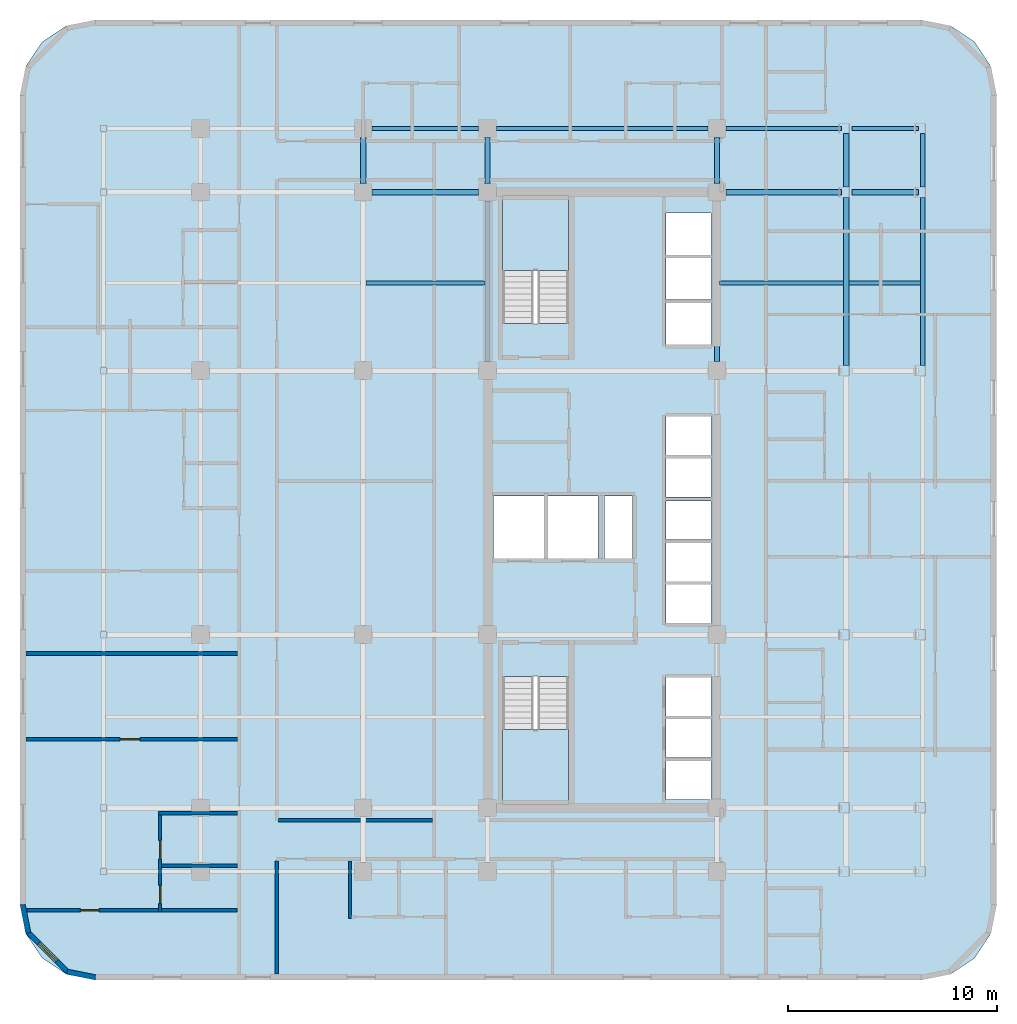
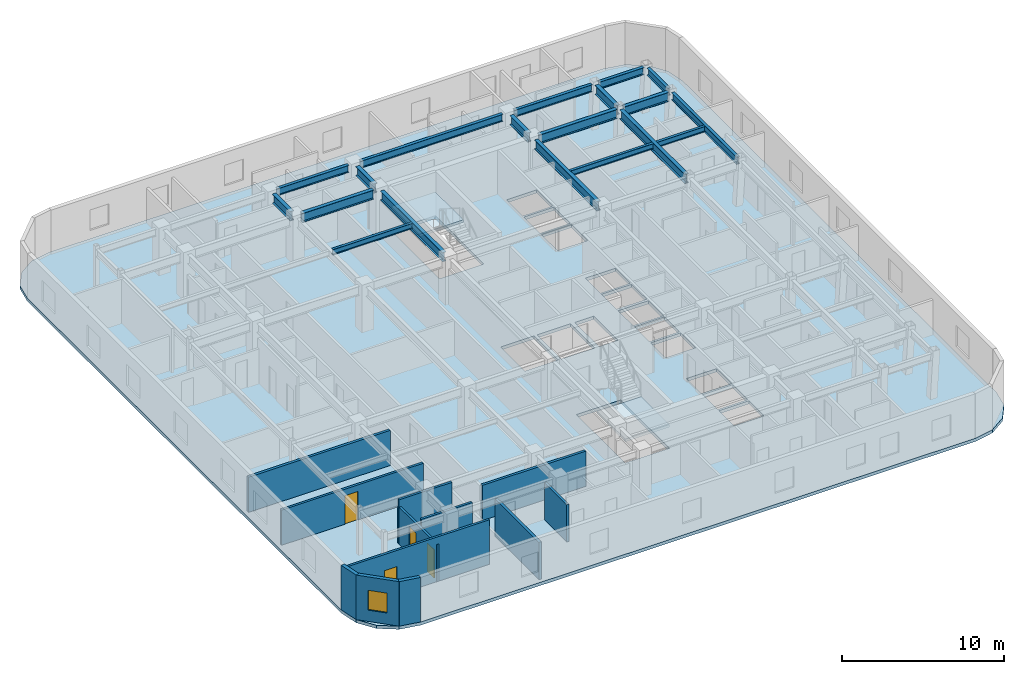
# One storey, part 5 of 12: 19 beams, 12 walls, 4 doors, 3 slabs, 1 window, 5 openings, 2 elements without a shape of their own.
"""IFC4 building model written with IfcOpenShell, lengths in metres."""

from ifc_helpers import new_model, si_unit, direction, frame, frame_2d, origin, origin_2d, place, context, subcontext, project, spatial, polyline, rectangle, i_section, outline, extrude, material, layer, layer_set, material_profile, profile_set, type_object, element, fill, aggregate, save


model = new_model("IFC4")

# Units and contexts
model_context = context("Model", 3, precision=1e-05, world=origin(), true_north=direction((0.0, 1.0)))
body_context = subcontext(model_context, "Body", "Model", "MODEL_VIEW")
ifc_project = project(units=[si_unit("LENGTHUNIT", "METRE"), si_unit("AREAUNIT", "SQUARE_METRE"), si_unit("VOLUMEUNIT", "CUBIC_METRE"), si_unit("PLANEANGLEUNIT", "RADIAN"), si_unit("MASSUNIT", "GRAM", prefix="KILO")], contexts=[model_context])

# Site, building, storey
site_placement = place(None, origin())
site = spatial("IfcSite", under=ifc_project, at=site_placement, CompositionType="ELEMENT")
building_placement = place(site_placement, origin())
building = spatial("IfcBuilding", under=site, at=building_placement, Name="Ochreholt Gables", CompositionType="ELEMENT")
storey_placement = place(building_placement, frame((0.0, 0.0, 38.39990234375)))
storey = spatial("IfcBuildingStorey", under=building, at=storey_placement, Name="L09", CompositionType="ELEMENT", Elevation=38.39990234375)

# Beams
ifc_material_1 = material(Name="Steel CSA G40.21 350W", Category="steel")
ifc_material_profile_1 = material_profile(ifc_material_1, i_section(OverallWidth=0.256103515625, OverallDepth=0.693115234375, WebThickness=0.014404296875, FlangeThickness=0.023681640625, at=origin_2d()), Name="W690X170")
ifc_profile_set_1 = profile_set([ifc_material_profile_1], Name="Steel CSA G40.21 350W")
beam_type_1 = type_object("IfcBeamType", Name="BM-G-W690", PredefinedType="BEAM", material=ifc_profile_set_1)
beam_1_placement = place(storey_placement, frame((18.674560546875, 38.75, 3.013671875), z_axis=(1.0, 0.0, 0.0), x_axis=(0.0, 1.0, 0.0)))
element("IfcBeam", 1, at=beam_1_placement, inside=storey, type_object=beam_type_1, Name="L09 Beam TBG-L09-W3C1-Y5", PredefinedType="BEAM", context=body_context, shape_type="SweptSolid", body=[
    extrude(i_section(OverallWidth=0.256103515625, OverallDepth=0.693115234375, WebThickness=0.014404296875, FlangeThickness=0.023681640625, at=origin_2d()), origin(), (0.0, 0.0, 1.0), 5.100830078125),
])
beam_2_placement = place(storey_placement, frame((35.62451171875, 38.75, 3.013671875), z_axis=(1.0, 0.0, 0.0), x_axis=(0.0, 1.0, 0.0)))
element("IfcBeam", 2, at=beam_2_placement, inside=storey, type_object=beam_type_1, Name="L09 Beam TBG-L09-C2EM-Y5", PredefinedType="BEAM", context=body_context, shape_type="SweptSolid", body=[
    extrude(i_section(OverallWidth=0.256103515625, OverallDepth=0.693115234375, WebThickness=0.014404296875, FlangeThickness=0.023681640625, at=origin_2d()), origin(), (0.0, 0.0, 1.0), 5.531982421875),
])
beam_3_placement = place(storey_placement, frame((41.655517578125, 38.75, 3.013671875), z_axis=(1.0, 0.0, 0.0), x_axis=(0.0, 1.0, 0.0)))
element("IfcBeam", 3, at=beam_3_placement, inside=storey, type_object=beam_type_1, Name="L09 Beam TBG-L09-EMEE-Y5", PredefinedType="BEAM", context=body_context, shape_type="SweptSolid", body=[
    extrude(i_section(OverallWidth=0.256103515625, OverallDepth=0.693115234375, WebThickness=0.014404296875, FlangeThickness=0.023681640625, at=origin_2d()), origin(), (0.0, 0.0, 1.0), 3.187744140625),
])
beam_4_placement = place(storey_placement, frame((18.25, 39.174560546875, 3.013671875), z_axis=(0.0, 1.0, 0.0), x_axis=(-1.0, 0.0, 0.0)))
element("IfcBeam", 4, at=beam_4_placement, inside=storey, type_object=beam_type_1, Name="L09 Beam TBN-L09-W3-Y5Y6", PredefinedType="BEAM", context=body_context, shape_type="SweptSolid", body=[
    extrude(i_section(OverallWidth=0.256103515625, OverallDepth=0.693115234375, WebThickness=0.014404296875, FlangeThickness=0.023681640625, at=origin_2d()), origin(), (0.0, 0.0, 1.0), 2.200927734375),
])
beam_5_placement = place(storey_placement, frame((24.199951171875, 30.62451171875, 3.013671875), z_axis=(0.0, 1.0, 0.0), x_axis=(-1.0, 0.0, 0.0)))
element("IfcBeam", 5, at=beam_5_placement, inside=storey, type_object=beam_type_1, Name="L09 Beam TBN-L09-C1-Y4Y5", PredefinedType="BEAM", context=body_context, shape_type="SweptSolid", body=[
    extrude(i_section(OverallWidth=0.256103515625, OverallDepth=0.693115234375, WebThickness=0.014404296875, FlangeThickness=0.023681640625, at=origin_2d()), origin(), (0.0, 0.0, 1.0), 7.700927734375),
])
beam_6_placement = place(storey_placement, frame((24.199951171875, 39.174560546875, 3.013671875), z_axis=(0.0, 1.0, 0.0), x_axis=(-1.0, 0.0, 0.0)))
element("IfcBeam", 6, at=beam_6_placement, inside=storey, type_object=beam_type_1, Name="L09 Beam TBN-L09-C1-Y5Y6", PredefinedType="BEAM", context=body_context, shape_type="SweptSolid", body=[
    extrude(i_section(OverallWidth=0.256103515625, OverallDepth=0.693115234375, WebThickness=0.014404296875, FlangeThickness=0.023681640625, at=origin_2d()), origin(), (0.0, 0.0, 1.0), 2.200927734375),
])
beam_7_placement = place(storey_placement, frame((35.199951171875, 30.62451171875, 3.013671875), z_axis=(0.0, 1.0, 0.0), x_axis=(-1.0, 0.0, 0.0)))
element("IfcBeam", 7, at=beam_7_placement, inside=storey, type_object=beam_type_1, Name="L09 Beam TBN-L09-C2-Y4Y5", PredefinedType="BEAM", context=body_context, shape_type="SweptSolid", body=[
    extrude(i_section(OverallWidth=0.256103515625, OverallDepth=0.693115234375, WebThickness=0.014404296875, FlangeThickness=0.023681640625, at=origin_2d()), origin(), (0.0, 0.0, 1.0), 7.700927734375),
])
beam_8_placement = place(storey_placement, frame((35.199951171875, 39.174560546875, 3.013671875), z_axis=(0.0, 1.0, 0.0), x_axis=(-1.0, 0.0, 0.0)))
element("IfcBeam", 8, at=beam_8_placement, inside=storey, type_object=beam_type_1, Name="L09 Beam TBN-L09-C2-Y5Y6", PredefinedType="BEAM", context=body_context, shape_type="SweptSolid", body=[
    extrude(i_section(OverallWidth=0.256103515625, OverallDepth=0.693115234375, WebThickness=0.014404296875, FlangeThickness=0.023681640625, at=origin_2d()), origin(), (0.0, 0.0, 1.0), 2.200927734375),
])
beam_9_placement = place(storey_placement, frame((41.388916015625, 30.44970703125, 3.013671875), z_axis=(0.0, 1.0, 0.0), x_axis=(-1.0, 0.0, 0.0)))
element("IfcBeam", 9, at=beam_9_placement, inside=storey, type_object=beam_type_1, Name="L09 Beam TBN-L09-EM-Y4Y5", PredefinedType="BEAM", context=body_context, shape_type="SweptSolid", body=[
    extrude(i_section(OverallWidth=0.256103515625, OverallDepth=0.693115234375, WebThickness=0.014404296875, FlangeThickness=0.023681640625, at=origin_2d()), origin(), (0.0, 0.0, 1.0), 8.05078125),
])
beam_10_placement = place(storey_placement, frame((41.388916015625, 38.99951171875, 3.013671875), z_axis=(0.0, 1.0, 0.0), x_axis=(-1.0, 0.0, 0.0)))
element("IfcBeam", 10, at=beam_10_placement, inside=storey, type_object=beam_type_1, Name="L09 Beam TBN-L09-EM-Y5Y6", PredefinedType="BEAM", context=body_context, shape_type="SweptSolid", body=[
    extrude(i_section(OverallWidth=0.256103515625, OverallDepth=0.693115234375, WebThickness=0.014404296875, FlangeThickness=0.023681640625, at=origin_2d()), origin(), (0.0, 0.0, 1.0), 2.55078125),
])
ifc_material_profile_2 = material_profile(ifc_material_1, i_section(OverallWidth=0.178955078125, OverallDepth=0.409912109375, WebThickness=0.0087890625, FlangeThickness=0.014404296875, at=origin_2d()), Name="W410X67")
ifc_profile_set_2 = profile_set([ifc_material_profile_2], Name="Steel CSA G40.21 350W")
beam_type_2 = type_object("IfcBeamType", Name="BM-J-W410", PredefinedType="JOIST", material=ifc_profile_set_2)
beam_11_placement = place(storey_placement, frame((18.377685546875, 34.39990234375, 3.155029296875), z_axis=(1.0, 0.0, 0.0), x_axis=(0.0, 1.0, 0.0)))
element("IfcBeam", 11, at=beam_11_placement, inside=storey, type_object=beam_type_2, Name="L09 Beam TBJ-L09-J2-W3C1", PredefinedType="JOIST", context=body_context, shape_type="SweptSolid", body=[
    extrude(i_section(OverallWidth=0.178955078125, OverallDepth=0.409912109375, WebThickness=0.0087890625, FlangeThickness=0.014404296875, at=origin_2d()), origin(), (0.0, 0.0, 1.0), 5.69482421875),
])
beam_12_placement = place(storey_placement, frame((35.32763671875, 34.39990234375, 3.155029296875), z_axis=(1.0, 0.0, 0.0), x_axis=(0.0, 1.0, 0.0)))
element("IfcBeam", 12, at=beam_12_placement, inside=storey, type_object=beam_type_2, Name="L09 Beam TBJ-L09-J2-C2EM", PredefinedType="JOIST", context=body_context, shape_type="SweptSolid", body=[
    extrude(i_section(OverallWidth=0.178955078125, OverallDepth=0.409912109375, WebThickness=0.0087890625, FlangeThickness=0.014404296875, at=origin_2d()), origin(), (0.0, 0.0, 1.0), 5.93359375),
])
beam_13_placement = place(storey_placement, frame((41.516357421875, 34.39990234375, 3.155029296875), z_axis=(1.0, 0.0, 0.0), x_axis=(0.0, 1.0, 0.0)))
element("IfcBeam", 13, at=beam_13_placement, inside=storey, type_object=beam_type_2, Name="L09 Beam TBJ-L09-J2-EMEE", PredefinedType="JOIST", context=body_context, shape_type="SweptSolid", body=[
    extrude(i_section(OverallWidth=0.178955078125, OverallDepth=0.409912109375, WebThickness=0.0087890625, FlangeThickness=0.014404296875, at=origin_2d()), origin(), (0.0, 0.0, 1.0), 3.44384765625),
])
ifc_material_profile_3 = material_profile(ifc_material_1, i_section(OverallWidth=0.208984375, OverallDepth=0.532958984375, WebThickness=0.01025390625, FlangeThickness=0.015625, at=origin_2d()), Name="W530X92")
ifc_profile_set_3 = profile_set([ifc_material_profile_3], Name="Steel CSA G40.21 350W")
beam_type_3 = type_object("IfcBeamType", Name="BM-SP-W530B", PredefinedType="SPANDREL", material=ifc_profile_set_3)
beam_14_placement = place(storey_placement, frame((18.674560546875, 41.800048828125, 3.093505859375), z_axis=(1.0, 0.0, 0.0), x_axis=(0.0, 1.0, 0.0)))
element("IfcBeam", 14, at=beam_14_placement, inside=storey, type_object=beam_type_3, Name="L09 Beam TBG-L09-W3C1-Y6", PredefinedType="SPANDREL", context=body_context, shape_type="SweptSolid", body=[
    extrude(i_section(OverallWidth=0.208984375, OverallDepth=0.532958984375, WebThickness=0.01025390625, FlangeThickness=0.015625, at=origin_2d()), origin(), (0.0, 0.0, 1.0), 5.100830078125),
])
beam_15_placement = place(storey_placement, frame((24.62451171875, 41.800048828125, 3.093505859375), z_axis=(1.0, 0.0, 0.0), x_axis=(0.0, 1.0, 0.0)))
element("IfcBeam", 15, at=beam_15_placement, inside=storey, type_object=beam_type_3, Name="L09 Beam TBG-L09-C1C2-Y6", PredefinedType="SPANDREL", context=body_context, shape_type="SweptSolid", body=[
    extrude(i_section(OverallWidth=0.208984375, OverallDepth=0.532958984375, WebThickness=0.01025390625, FlangeThickness=0.015625, at=origin_2d()), origin(), (0.0, 0.0, 1.0), 10.15087890625),
])
beam_16_placement = place(storey_placement, frame((35.62451171875, 41.800048828125, 3.093505859375), z_axis=(1.0, 0.0, 0.0), x_axis=(0.0, 1.0, 0.0)))
element("IfcBeam", 16, at=beam_16_placement, inside=storey, type_object=beam_type_3, Name="L09 Beam TBG-L09-C2EM-Y6", PredefinedType="SPANDREL", context=body_context, shape_type="SweptSolid", body=[
    extrude(i_section(OverallWidth=0.208984375, OverallDepth=0.532958984375, WebThickness=0.01025390625, FlangeThickness=0.015625, at=origin_2d()), origin(), (0.0, 0.0, 1.0), 5.531982421875),
])
beam_17_placement = place(storey_placement, frame((41.655517578125, 41.800048828125, 3.093505859375), z_axis=(1.0, 0.0, 0.0), x_axis=(0.0, 1.0, 0.0)))
element("IfcBeam", 17, at=beam_17_placement, inside=storey, type_object=beam_type_3, Name="L09 Beam TBG-L09-EMEE-Y6", PredefinedType="SPANDREL", context=body_context, shape_type="SweptSolid", body=[
    extrude(i_section(OverallWidth=0.208984375, OverallDepth=0.532958984375, WebThickness=0.01025390625, FlangeThickness=0.015625, at=origin_2d()), origin(), (0.0, 0.0, 1.0), 3.187744140625),
])
beam_18_placement = place(storey_placement, frame((45.064453125, 30.44970703125, 3.093505859375), z_axis=(0.0, 1.0, 0.0), x_axis=(-1.0, 0.0, 0.0)))
element("IfcBeam", 18, at=beam_18_placement, inside=storey, type_object=beam_type_3, Name="L09 Beam TBN-L09-EE-Y4Y5", PredefinedType="SPANDREL", context=body_context, shape_type="SweptSolid", body=[
    extrude(i_section(OverallWidth=0.208984375, OverallDepth=0.532958984375, WebThickness=0.01025390625, FlangeThickness=0.015625, at=origin_2d()), origin(), (0.0, 0.0, 1.0), 8.05078125),
])
beam_19_placement = place(storey_placement, frame((45.064453125, 38.99951171875, 3.093505859375), z_axis=(0.0, 1.0, 0.0), x_axis=(-1.0, 0.0, 0.0)))
element("IfcBeam", 19, at=beam_19_placement, inside=storey, type_object=beam_type_3, Name="L09 Beam TBN-L09-EE-Y5Y6", PredefinedType="SPANDREL", context=body_context, shape_type="SweptSolid", body=[
    extrude(i_section(OverallWidth=0.208984375, OverallDepth=0.532958984375, WebThickness=0.01025390625, FlangeThickness=0.015625, at=origin_2d()), origin(), (0.0, 0.0, 1.0), 2.55078125),
])

# Stair, slab
ifc_material_2 = material(Name="Concrete 40 MPa", Category="concrete")
stair_type_1 = type_object("IfcStairType", Name="STAIR-CORE-ST-1", PredefinedType="HALF_TURN_STAIR", material=ifc_material_2)
stair_1_placement = place(storey_placement, origin())
stair_1 = element("IfcStair", 20, at=stair_1_placement, inside=storey, type_object=stair_type_1, Name="L09 Core Exit Stair 1", PredefinedType="HALF_TURN_STAIR")
ifc_layer_1 = layer(ifc_material_2, 0.199951171875, Name="Concrete 40 MPa")
ifc_layer_set_1 = layer_set([ifc_layer_1], Name="Concrete 40 MPa")
slab_type_1 = type_object("IfcSlabType", Name="LANDING-RC200", PredefinedType="LANDING", material=ifc_layer_set_1)
slab_1_placement = place(storey_placement, frame((0.0, 0.0, 1.60009765625)))
slab_1 = element("IfcSlab", 21, at=slab_1_placement, type_object=slab_type_1, Name="ST-1 landing 1", PredefinedType="LANDING", context=body_context, shape_type="SweptSolid", body=[
    extrude(outline(polyline([(24.919921875, 13.001953125), (24.919921875, 9.52001953125), (28.080078125, 9.52001953125), (28.080078125, 13.001953125), (24.919921875, 13.001953125)])), origin(), (0.0, 0.0, 1.0), 0.199951171875),
])
aggregate(stair_1, [slab_1])

stair_type_2 = type_object("IfcStairType", Name="STAIR-CORE-ST-2", PredefinedType="HALF_TURN_STAIR", material=ifc_material_2)
stair_2_placement = place(storey_placement, origin())
stair_2 = element("IfcStair", 22, at=stair_2_placement, inside=storey, type_object=stair_type_2, Name="L09 Core Exit Stair 2", PredefinedType="HALF_TURN_STAIR")
slab_2_placement = place(storey_placement, frame((0.0, 0.0, 1.60009765625)))
slab_2 = element("IfcSlab", 23, at=slab_2_placement, type_object=slab_type_1, Name="ST-2 landing 1", PredefinedType="LANDING", context=body_context, shape_type="SweptSolid", body=[
    extrude(outline(polyline([(28.080078125, 34.998046875), (28.080078125, 38.47998046875), (24.919921875, 38.47998046875), (24.919921875, 34.998046875), (28.080078125, 34.998046875)])), origin(), (0.0, 0.0, 1.0), 0.199951171875),
])
aggregate(stair_2, [slab_2])

# Slab
ifc_layer_2 = layer(ifc_material_2, 0.239990234375, Name="Concrete 40 MPa")
ifc_layer_set_2 = layer_set([ifc_layer_2], Name="Concrete 40 MPa")
slab_type_2 = type_object("IfcSlabType", Name="SLAB-TWR-240", PredefinedType="FLOOR", material=ifc_layer_set_2)
slab_3_placement = place(storey_placement, frame((0.0, 0.0, -0.239990234375)))
element("IfcSlab", 24, at=slab_3_placement, inside=storey, type_object=slab_type_2, Name="L09 Structural Floor Slab", PredefinedType="FLOOR", context=body_context, shape_type="SweptSolid", body=[
    extrude(outline(polyline([(1.800048828125, 4.60009765625), (2.073974609375, 3.222412109375), (2.8544921875, 2.054443359375), (4.022216796875, 1.27392578125), (5.39990234375, 1.0), (45.0, 1.0), (46.377685546875, 1.27392578125), (47.545654296875, 2.054443359375), (48.325927734375, 3.222412109375), (48.60009765625, 4.60009765625), (48.60009765625, 43.39990234375), (48.325927734375, 44.777587890625), (47.545654296875, 45.945556640625), (46.377685546875, 46.72607421875), (45.0, 47.0), (5.39990234375, 47.0), (4.022216796875, 46.72607421875), (2.8544921875, 45.945556640625), (2.073974609375, 44.777587890625), (1.800048828125, 43.39990234375), (1.800048828125, 4.60009765625)]), holes=[polyline([(24.919921875, 15.539306640625), (24.919921875, 9.52001953125), (28.080078125, 9.52001953125), (28.080078125, 15.539306640625), (24.919921875, 15.539306640625)]), polyline([(28.080078125, 32.460693359375), (28.080078125, 38.47998046875), (24.919921875, 38.47998046875), (24.919921875, 32.460693359375), (28.080078125, 32.460693359375)]), polyline([(24.5, 21.199951171875), (26.89990234375, 21.199951171875), (26.89990234375, 24.199951171875), (24.5, 24.199951171875), (24.5, 21.199951171875)]), polyline([(27.10009765625, 21.199951171875), (29.5, 21.199951171875), (29.5, 24.199951171875), (27.10009765625, 24.199951171875), (27.10009765625, 21.199951171875)]), polyline([(32.75, 9.64990234375), (34.89990234375, 9.64990234375), (34.89990234375, 11.5), (32.75, 11.5), (32.75, 9.64990234375)]), polyline([(32.75, 11.64990234375), (34.89990234375, 11.64990234375), (34.89990234375, 13.5), (32.75, 13.5), (32.75, 11.64990234375)]), polyline([(32.75, 13.64990234375), (34.89990234375, 13.64990234375), (34.89990234375, 15.5), (32.75, 15.5), (32.75, 13.64990234375)]), polyline([(32.75, 18.10009765625), (34.89990234375, 18.10009765625), (34.89990234375, 19.949951171875), (32.75, 19.949951171875), (32.75, 18.10009765625)]), polyline([(32.75, 20.10009765625), (34.89990234375, 20.10009765625), (34.89990234375, 21.949951171875), (32.75, 21.949951171875), (32.75, 20.10009765625)]), polyline([(32.75, 22.10009765625), (34.89990234375, 22.10009765625), (34.89990234375, 23.949951171875), (32.75, 23.949951171875), (32.75, 22.10009765625)]), polyline([(32.75, 24.14990234375), (34.89990234375, 24.14990234375), (34.89990234375, 26.0), (32.75, 26.0), (32.75, 24.14990234375)]), polyline([(32.75, 26.14990234375), (34.89990234375, 26.14990234375), (34.89990234375, 28.0), (32.75, 28.0), (32.75, 26.14990234375)]), polyline([(32.75, 31.449951171875), (34.89990234375, 31.449951171875), (34.89990234375, 33.449951171875), (32.75, 33.449951171875), (32.75, 31.449951171875)]), polyline([(32.75, 33.60009765625), (34.89990234375, 33.60009765625), (34.89990234375, 35.60009765625), (32.75, 35.60009765625), (32.75, 33.60009765625)]), polyline([(32.75, 35.75), (34.89990234375, 35.75), (34.89990234375, 37.75), (32.75, 37.75), (32.75, 35.75)]), polyline([(29.800048828125, 21.199951171875), (31.14990234375, 21.199951171875), (31.14990234375, 24.199951171875), (29.800048828125, 24.199951171875), (29.800048828125, 21.199951171875)])]), origin(), (0.0, 0.0, 1.0), 0.239990234375),
])

# Wall
ifc_material_3 = material(Name="Precast concrete 40 MPa", Category="concrete")
ifc_layer_3 = layer(ifc_material_3, 0.25, Name="Precast concrete 40 MPa")
ifc_layer_set_3 = layer_set([ifc_layer_3], Name="Precast concrete 40 MPa")
wall_type_1 = type_object("IfcWallType", Name="WALL-EXT-CNR", PredefinedType="SOLIDWALL", material=ifc_layer_set_3)
wall_1_placement = place(storey_placement, frame((1.92431640625, 4.616455078125, 0.0), z_axis=(0.0, 0.0, 1.0), x_axis=(0.19496651342, -0.980809899341, 0.0)))
element("IfcWall", 25, at=wall_1_placement, inside=storey, type_object=wall_type_1, Name="L09 Rounded Corner Wall SW-1", PredefinedType="SOLIDWALL", context=body_context, shape_type="SweptSolid", body=[
    extrude(rectangle(XDim=1.388671875, YDim=0.25, at=frame_2d((0.6943359375, 0.0))), origin(), (0.0, 0.0, 1.0), 3.360107421875),
])

# Wall, opening, window
wall_2_placement = place(storey_placement, frame((2.16796875, 3.304931640625, 0.0), z_axis=(0.0, 0.0, 1.0), x_axis=(0.707106781187, -0.707106781187, 0.0)))
wall_2 = element("IfcWall", 26, at=wall_2_placement, inside=storey, type_object=wall_type_1, Name="L09 Rounded Corner Wall SW-2", PredefinedType="SOLIDWALL", context=body_context, shape_type="SweptSolid", body=[
    extrude(rectangle(XDim=2.7392578125, YDim=0.25, at=frame_2d((1.36962890625, 0.0))), origin(), (0.0, 0.0, 1.0), 3.360107421875),
])
opening_1_placement = place(wall_2_placement, frame((0.769775390625, 0.0, 0.85009765625)))
opening_1 = element("IfcOpeningElement", 27, at=opening_1_placement, cuts=wall_2, Name="Opening WN-3", PredefinedType="OPENING", context=body_context, shape_type="SweptSolid", body=[
    extrude(rectangle(XDim=1.199951171875, YDim=1.5, at=frame_2d((0.60009765625, 0.75))), frame((0.0, 0.135009765625, 0.0), z_axis=(0.0, -1.0, 0.0), x_axis=(1.0, 0.0, 0.0)), (0.0, 0.0, 1.0), 0.27001953125),
])
ifc_material_4 = material(Name="Triple-Glazed Thermally Broken Aluminium Window", Category="aluminium")
window_type = type_object("IfcWindowType", Name="WIN-RES-1200", PartitioningType="SINGLE_PANEL", PredefinedType="WINDOW", material=ifc_material_4)
window_placement = place(opening_1_placement, origin())
window = element("IfcWindow", 28, at=window_placement, inside=storey, type_object=window_type, Name="L09 Corner Bedroom Window SW", OverallHeight=1.5, OverallWidth=1.199951171875, PartitioningType="SINGLE_PANEL", PredefinedType="WINDOW", context=body_context, shape_type="SweptSolid", body=[
    extrude(rectangle(XDim=1.199951171875, YDim=1.5, at=frame_2d((0.60009765625, 0.75))), frame((0.0, 0.030029296875, 0.0), z_axis=(0.0, -1.0, 0.0), x_axis=(1.0, 0.0, 0.0)), (0.0, 0.0, 1.0), 0.06005859375),
])
fill(opening_1, window)

# Walls
wall_3_placement = place(storey_placement, frame((4.054443359375, 1.39501953125, 0.0), z_axis=(0.0, 0.0, 1.0), x_axis=(0.980809899341, -0.19496651342, 0.0)))
element("IfcWall", 29, at=wall_3_placement, inside=storey, type_object=wall_type_1, Name="L09 Rounded Corner Wall SW-3", PredefinedType="SOLIDWALL", context=body_context, shape_type="SweptSolid", body=[
    extrude(rectangle(XDim=1.388671875, YDim=0.25, at=frame_2d((0.6943359375, 0.0))), origin(), (0.0, 0.0, 1.0), 3.360107421875),
])
ifc_material_5 = material(Name="Fire-Rated Gypsum Acoustic Partition", Category="gypsum")
ifc_layer_4 = layer(ifc_material_5, 0.179931640625, Name="Fire-Rated Gypsum Acoustic Partition")
ifc_layer_set_4 = layer_set([ifc_layer_4], Name="Fire-Rated Gypsum Acoustic Partition")
wall_type_2 = type_object("IfcWallType", Name="WALL-INT-CR180", PredefinedType="STANDARD", material=ifc_layer_set_4)
wall_4_placement = place(storey_placement, frame((14.18994140625, 8.64990234375, 0.0), z_axis=(0.0, 0.0, 1.0), x_axis=(1.0, 0.0, 0.0)))
element("IfcWall", 30, at=wall_4_placement, inside=storey, type_object=wall_type_2, Name="L09 Interior Wall WI-C1S2W-L09", PredefinedType="STANDARD", context=body_context, shape_type="SweptSolid", body=[
    extrude(rectangle(XDim=7.3701171875, YDim=0.179931640625, at=frame_2d((3.68505859375, 0.0))), origin(), (0.0, 0.0, 1.0), 2.649169921875),
])
ifc_material_6 = material(Name="Double-Stud Acoustic Demising Wall", Category="gypsum")
ifc_layer_5 = layer(ifc_material_6, 0.179931640625, Name="Double-Stud Acoustic Demising Wall")
ifc_layer_set_5 = layer_set([ifc_layer_5], Name="Double-Stud Acoustic Demising Wall")
wall_type_3 = type_object("IfcWallType", Name="WALL-INT-DM180", PredefinedType="PARTITIONING", material=ifc_layer_set_5)
wall_5_placement = place(storey_placement, frame((14.10009765625, 1.2900390625, 0.0), z_axis=(0.0, 0.0, 1.0), x_axis=(0.0, 1.0, 0.0)))
element("IfcWall", 31, at=wall_5_placement, inside=storey, type_object=wall_type_3, Name="L09 Interior Wall WI-C1WSI-L09", PredefinedType="PARTITIONING", context=body_context, shape_type="SweptSolid", body=[
    extrude(rectangle(XDim=5.419921875, YDim=0.179931640625, at=frame_2d((2.7099609375, 0.0))), origin(), (0.0, 0.0, 1.0), 2.80908203125),
])
wall_6_placement = place(storey_placement, frame((2.090087890625, 16.639892578125, 0.0), z_axis=(0.0, 0.0, 1.0), x_axis=(1.0, 0.0, 0.0)))
element("IfcWall", 32, at=wall_6_placement, inside=storey, type_object=wall_type_3, Name="L09 Interior Wall WI-UDW2-L09", PredefinedType="PARTITIONING", context=body_context, shape_type="SweptSolid", body=[
    extrude(rectangle(XDim=10.119873046875, YDim=0.179931640625, at=frame_2d((5.06005859375, 0.0))), origin(), (0.0, 0.0, 1.0), 2.649169921875),
])
ifc_material_7 = material(Name="Moisture-Resistant Plumbing Chase Wall", Category="gypsum")
ifc_layer_6 = layer(ifc_material_7, 0.159912109375, Name="Moisture-Resistant Plumbing Chase Wall")
ifc_layer_set_6 = layer_set([ifc_layer_6], Name="Moisture-Resistant Plumbing Chase Wall")
wall_type_4 = type_object("IfcWallType", Name="WALL-INT-PL160", PredefinedType="PLUMBINGWALL", material=ifc_layer_set_6)
wall_7_placement = place(storey_placement, frame((8.429931640625, 8.989990234375, 0.0), z_axis=(0.0, 0.0, 1.0), x_axis=(1.0, 0.0, 0.0)))
element("IfcWall", 33, at=wall_7_placement, inside=storey, type_object=wall_type_4, Name="L09 Interior Wall WU-L09W1-FYN", PredefinedType="PLUMBINGWALL", context=body_context, shape_type="SweptSolid", body=[
    extrude(rectangle(XDim=3.780029296875, YDim=0.159912109375, at=frame_2d((1.89013671875, 0.0))), origin(), (0.0, 0.0, 1.0), 3.360107421875),
])

# Wall, openings, doors
wall_8_placement = place(storey_placement, frame((8.510009765625, 4.25, 0.0), z_axis=(0.0, 0.0, 1.0), x_axis=(0.0, 1.0, 0.0)))
wall_8 = element("IfcWall", 34, at=wall_8_placement, inside=storey, type_object=wall_type_4, Name="L09 Interior Wall WU-L09W1-WX", PredefinedType="PLUMBINGWALL", context=body_context, shape_type="SweptSolid", body=[
    extrude(rectangle(XDim=4.830078125, YDim=0.159912109375, at=frame_2d((2.4150390625, 0.0))), origin(), (0.0, 0.0, 1.0), 2.80908203125),
])
opening_2_placement = place(wall_8_placement, frame((0.419921875, 0.0, 0.0)))
opening_2 = element("IfcOpeningElement", 35, at=opening_2_placement, cuts=wall_8, Name="Opening D-BT1", PredefinedType="OPENING", context=body_context, shape_type="SweptSolid", body=[
    extrude(rectangle(XDim=0.860107421875, YDim=2.1201171875, at=frame_2d((0.43017578125, 1.06005859375))), frame((0.0, 0.08984375, 0.0), z_axis=(0.0, -1.0, 0.0), x_axis=(1.0, 0.0, 0.0)), (0.0, 0.0, 1.0), 0.179931640625),
])
opening_3_placement = place(wall_8_placement, frame((2.55908203125, 0.0, 0.0)))
opening_3 = element("IfcOpeningElement", 36, at=opening_3_placement, cuts=wall_8, Name="Opening D-GN2", PredefinedType="OPENING", context=body_context, shape_type="SweptSolid", body=[
    extrude(rectangle(XDim=0.8798828125, YDim=2.1201171875, at=frame_2d((0.43994140625, 1.06005859375))), frame((0.0, 0.08984375, 0.0), z_axis=(0.0, -1.0, 0.0), x_axis=(1.0, 0.0, 0.0)), (0.0, 0.0, 1.0), 0.179931640625),
])
ifc_material_8 = material(Name="Engineered Oak Timber", Category="wood")
door_type_1 = type_object("IfcDoorType", Name="DR-INT-BTH860", OperationType="NOTDEFINED", PredefinedType="DOOR", material=ifc_material_8)
door_1_placement = place(opening_2_placement, origin())
door_1 = element("IfcDoor", 37, at=door_1_placement, inside=storey, type_object=door_type_1, Name="L09 Door D-U-L09W1-BTH", OperationType="SINGLE_SWING_LEFT", OverallHeight=2.1201171875, OverallWidth=0.860107421875, PredefinedType="DOOR", context=body_context, shape_type="SweptSolid", body=[
    extrude(rectangle(XDim=0.860107421875, YDim=2.1201171875, at=frame_2d((0.43017578125, 1.06005859375))), frame((0.0, 0.02490234375, 0.0), z_axis=(0.0, -1.0, 0.0), x_axis=(1.0, 0.0, 0.0)), (0.0, 0.0, 1.0), 0.050048828125),
])
fill(opening_2, door_1)
door_type_2 = type_object("IfcDoorType", Name="DR-INT-GEN880", OperationType="NOTDEFINED", PredefinedType="DOOR", material=ifc_material_8)
door_2_placement = place(opening_3_placement, origin())
door_2 = element("IfcDoor", 38, at=door_2_placement, inside=storey, type_object=door_type_2, Name="L09 Door D-U-L09W1-KIT", OperationType="SINGLE_SWING_RIGHT", OverallHeight=2.1201171875, OverallWidth=0.8798828125, PredefinedType="DOOR", context=body_context, shape_type="SweptSolid", body=[
    extrude(rectangle(XDim=0.8798828125, YDim=2.1201171875, at=frame_2d((0.43994140625, 1.06005859375))), frame((0.0, 0.02490234375, 0.0), z_axis=(0.0, -1.0, 0.0), x_axis=(1.0, 0.0, 0.0)), (0.0, 0.0, 1.0), 0.050048828125),
])
fill(opening_3, door_2)

# Walls
wall_9_placement = place(storey_placement, frame((8.590087890625, 6.47900390625, 0.0), z_axis=(0.0, 0.0, 1.0), x_axis=(1.0, 0.0, 0.0)))
element("IfcWall", 39, at=wall_9_placement, inside=storey, type_object=wall_type_4, Name="L09 Interior Wall WU-L09W1-WK", PredefinedType="PLUMBINGWALL", context=body_context, shape_type="SweptSolid", body=[
    extrude(rectangle(XDim=3.619873046875, YDim=0.159912109375, at=frame_2d((1.81005859375, 0.0))), origin(), (0.0, 0.0, 1.0), 3.360107421875),
])
wall_10_placement = place(storey_placement, frame((17.611572265625, 3.949951171875, 0.0), z_axis=(0.0, 0.0, 1.0), x_axis=(0.0, 1.0, 0.0)))
element("IfcWall", 40, at=wall_10_placement, inside=storey, type_object=wall_type_4, Name="L09 Interior Wall WU-L09S1-FY", PredefinedType="PLUMBINGWALL", context=body_context, shape_type="SweptSolid", body=[
    extrude(rectangle(XDim=2.760009765625, YDim=0.159912109375, at=frame_2d((1.3798828125, 0.0))), origin(), (0.0, 0.0, 1.0), 2.80908203125),
])

# Wall, opening, door
ifc_material_9 = material(Name="Gypsum Acoustic Stud Partition", Category="gypsum")
ifc_layer_7 = layer(ifc_material_9, 0.159912109375, Name="Gypsum Acoustic Stud Partition")
ifc_layer_set_7 = layer_set([ifc_layer_7], Name="Gypsum Acoustic Stud Partition")
wall_type_5 = type_object("IfcWallType", Name="WALL-INT-PT160", PredefinedType="PARTITIONING", material=ifc_layer_set_7)
wall_11_placement = place(storey_placement, frame((2.142333984375, 4.340087890625, 0.0), z_axis=(0.0, 0.0, 1.0), x_axis=(1.0, 0.0, 0.0)))
wall_11 = element("IfcWall", 41, at=wall_11_placement, inside=storey, type_object=wall_type_5, Name="L09 Interior Wall WU-L09W1-MN", PredefinedType="PARTITIONING", context=body_context, shape_type="SweptSolid", body=[
    extrude(rectangle(XDim=10.067626953125, YDim=0.159912109375, at=frame_2d((5.03369140625, 0.0))), origin(), (0.0, 0.0, 1.0), 3.360107421875),
])
opening_4_placement = place(wall_11_placement, frame((2.547607421875, 0.0, 0.0)))
opening_4 = element("IfcOpeningElement", 42, at=opening_4_placement, cuts=wall_11, Name="Opening D-BD1", PredefinedType="OPENING", context=body_context, shape_type="SweptSolid", body=[
    extrude(rectangle(XDim=0.89990234375, YDim=2.139892578125, at=frame_2d((0.449951171875, 1.06982421875))), frame((0.0, 0.08984375, 0.0), z_axis=(0.0, -1.0, 0.0), x_axis=(1.0, 0.0, 0.0)), (0.0, 0.0, 1.0), 0.179931640625),
])
door_type_3 = type_object("IfcDoorType", Name="DR-INT-BED900", OperationType="NOTDEFINED", PredefinedType="DOOR", material=ifc_material_8)
door_3_placement = place(opening_4_placement, origin())
door_3 = element("IfcDoor", 43, at=door_3_placement, inside=storey, type_object=door_type_3, Name="L09 Door D-U-L09W1-BD1", OperationType="SINGLE_SWING_LEFT", OverallHeight=2.139892578125, OverallWidth=0.89990234375, PredefinedType="DOOR", context=body_context, shape_type="SweptSolid", body=[
    extrude(rectangle(XDim=0.89990234375, YDim=2.139892578125, at=frame_2d((0.449951171875, 1.06982421875))), frame((0.0, 0.02490234375, 0.0), z_axis=(0.0, -1.0, 0.0), x_axis=(1.0, 0.0, 0.0)), (0.0, 0.0, 1.0), 0.050048828125),
])
fill(opening_4, door_3)

wall_12_placement = place(storey_placement, frame((2.090087890625, 12.53955078125, 0.0), z_axis=(0.0, 0.0, 1.0), x_axis=(1.0, 0.0, 0.0)))
wall_12 = element("IfcWall", 44, at=wall_12_placement, inside=storey, type_object=wall_type_5, Name="L09 Interior Wall WU-L09W1-DNW", PredefinedType="PARTITIONING", context=body_context, shape_type="SweptSolid", body=[
    extrude(rectangle(XDim=10.119873046875, YDim=0.159912109375, at=frame_2d((5.06005859375, 0.0))), origin(), (0.0, 0.0, 1.0), 2.649169921875),
])
opening_5_placement = place(wall_12_placement, frame((4.510009765625, 0.0, 0.0)))
opening_5 = element("IfcOpeningElement", 45, at=opening_5_placement, cuts=wall_12, Name="Opening D-GN1", PredefinedType="OPENING", context=body_context, shape_type="SweptSolid", body=[
    extrude(rectangle(XDim=0.949951171875, YDim=2.14990234375, at=frame_2d((0.47509765625, 1.074951171875))), frame((0.0, 0.08984375, 0.0), z_axis=(0.0, -1.0, 0.0), x_axis=(1.0, 0.0, 0.0)), (0.0, 0.0, 1.0), 0.179931640625),
])
door_type_4 = type_object("IfcDoorType", Name="DR-INT-GEN950", OperationType="NOTDEFINED", PredefinedType="DOOR", material=ifc_material_8)
door_4_placement = place(opening_5_placement, origin())
door_4 = element("IfcDoor", 46, at=door_4_placement, inside=storey, type_object=door_type_4, Name="L09 Door D-U-L09W1-DIN", OperationType="SINGLE_SWING_LEFT", OverallHeight=2.14990234375, OverallWidth=0.949951171875, PredefinedType="DOOR", context=body_context, shape_type="SweptSolid", body=[
    extrude(rectangle(XDim=0.949951171875, YDim=2.14990234375, at=frame_2d((0.47509765625, 1.074951171875))), frame((0.0, 0.02490234375, 0.0), z_axis=(0.0, -1.0, 0.0), x_axis=(1.0, 0.0, 0.0)), (0.0, 0.0, 1.0), 0.050048828125),
])
fill(opening_5, door_4)

save(model, "model.ifc")
